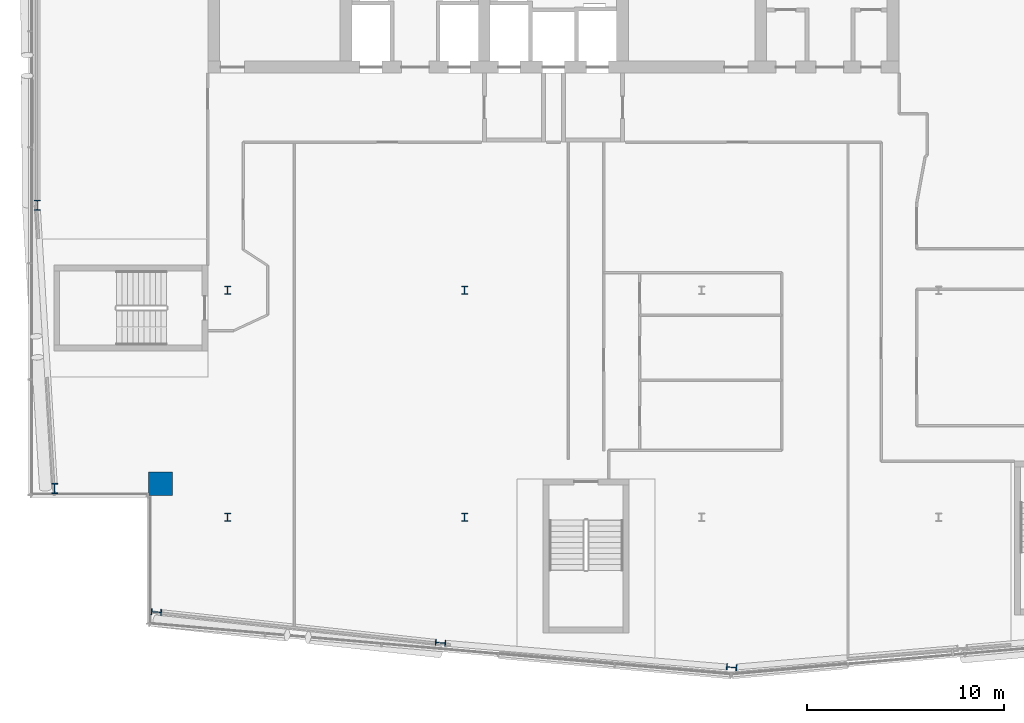
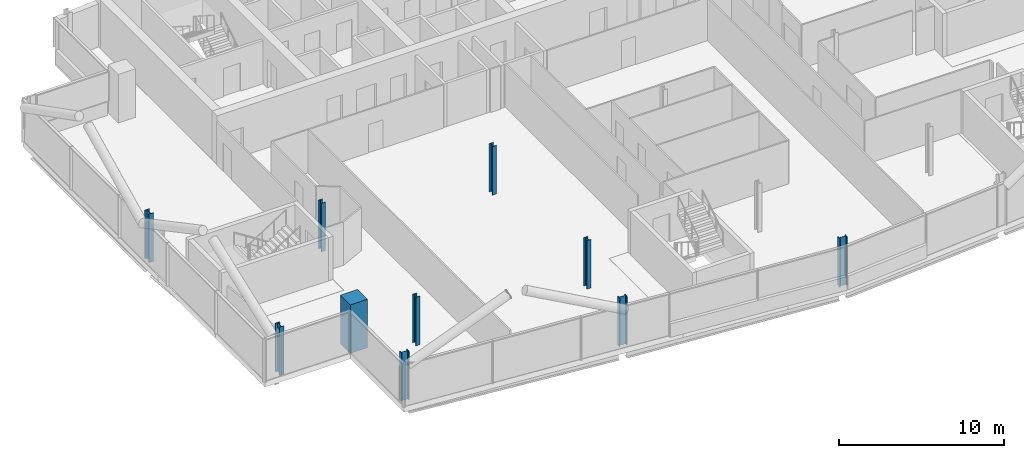
# One storey, part 1 of 25: 10 columns.
"""IFC4 building model written with IfcOpenShell, lengths in metres."""

from ifc_helpers import new_model, si_unit, direction, frame, origin, origin_2d, place, context, subcontext, project, spatial, rectangle, i_section, extrude, material, material_profile, profile_set, type_object, element, save


model = new_model("IFC4")

# Units and contexts
model_context = context("Model", 3, precision=1e-05, world=origin(), true_north=direction((0.0, 1.0)))
body_context = subcontext(model_context, "Body", "Model", "MODEL_VIEW")
ifc_project = project(units=[si_unit("LENGTHUNIT", "METRE"), si_unit("AREAUNIT", "SQUARE_METRE"), si_unit("VOLUMEUNIT", "CUBIC_METRE"), si_unit("PLANEANGLEUNIT", "RADIAN"), si_unit("MASSUNIT", "GRAM", prefix="KILO")], contexts=[model_context])

# Site, building, storey
site_placement = place(None, origin())
site = spatial("IfcSite", under=ifc_project, at=site_placement, CompositionType="ELEMENT")
building_placement = place(site_placement, origin())
building = spatial("IfcBuilding", under=site, at=building_placement, Name="Wharfspan Tower", CompositionType="ELEMENT")
storey_placement = place(building_placement, frame((0.0, 0.0, 239.5)))
storey = spatial("IfcBuildingStorey", under=building, at=storey_placement, Name="L60", CompositionType="ELEMENT", Elevation=239.5)

# Columns
ifc_material_1 = material(Name="Steel S355J2", Category="steel")
ifc_material_profile_1 = material_profile(ifc_material_1, i_section(OverallWidth=0.300049, OverallDepth=0.399902, WebThickness=0.013428, FlangeThickness=0.023926, FilletRadius=0.0271, at=origin_2d()))
ifc_profile_set_1 = profile_set([ifc_material_profile_1], Name="Steel S355J2")
column_type_1 = type_object("IfcColumnType", Name="Column HEB 400", PredefinedType="COLUMN", material=ifc_profile_set_1)
for number, where, z_axis, x_axis, name in (
    (1, (24.0, 11.5, 0.0), (0.0, 0.0, 1.0), (1.0, 0.0, 0.0), "Interior column I.1.1 L60"),
    (2, (36.0, 11.5, 0.0), (0.0, 0.0, 1.0), (1.0, 0.0, 0.0), "Interior column I.1.2 L60"),
    (3, (24.0, 23.0, 0.0), (0.0, 0.0, 1.0), (1.0, 0.0, 0.0), "Interior column I.2.1 L60"),
    (4, (36.0, 23.0, 0.0), (0.0, 0.0, 1.0), (1.0, 0.0, 0.0), "Interior column I.2.2 L60"),
):
    element("IfcColumn", number, at=place(storey_placement, frame(where, z_axis=z_axis, x_axis=x_axis)), inside=storey, type_object=column_type_1, Name=name, PredefinedType="COLUMN", context=body_context, shape_type="SweptSolid", body=[
        extrude(i_section(OverallWidth=0.300049, OverallDepth=0.399902, WebThickness=0.013428, FlangeThickness=0.023926, FilletRadius=0.0271, at=origin_2d()), origin(), (0.0, 0.0, 1.0), 3.600098),
    ])
ifc_material_profile_2 = material_profile(ifc_material_1, i_section(OverallWidth=0.305908, OverallDepth=0.523926, WebThickness=0.020996, FlangeThickness=0.040039, FilletRadius=0.0271, at=origin_2d()))
ifc_profile_set_2 = profile_set([ifc_material_profile_2], Name="Steel S355J2")
column_type_2 = type_object("IfcColumnType", Name="Column HEM 500", PredefinedType="COLUMN", material=ifc_profile_set_2)
for number, where, z_axis, x_axis, name in (
    (5, (20.392334, 6.702637, 0.0), (0.0, 0.0, 1.0), (-0.087156, -0.996197, 0.0), "Perimeter column PS1.1 L60"),
    (6, (34.781494, 5.143311, 0.0), (0.0, 0.0, 1.0), (-0.087156, -0.996197, 0.0), "Perimeter column PS1.2 L60"),
    (7, (49.522949, 3.9021, 0.0), (0.0, 0.0, 1.0), (-0.087156, -0.996197, 0.0), "Perimeter column PS1.3 L60"),
    (8, (14.360107, 27.300049, 0.0), (0.0, 0.0, 1.0), (-1.0, 0.0, 0.0), "Perimeter column PW.1 L60"),
    (9, (15.237793, 12.963379, 0.0), (0.0, 0.0, 1.0), (-1.0, 0.0, 0.0), "Perimeter column PW.2 L60"),
):
    element("IfcColumn", number, at=place(storey_placement, frame(where, z_axis=z_axis, x_axis=x_axis)), inside=storey, type_object=column_type_2, Name=name, PredefinedType="COLUMN", context=body_context, shape_type="SweptSolid", body=[
        extrude(i_section(OverallWidth=0.305908, OverallDepth=0.523926, WebThickness=0.020996, FlangeThickness=0.040039, FilletRadius=0.0271, at=origin_2d()), origin(), (0.0, 0.0, 1.0), 3.600098),
    ])
ifc_material_2 = material(Name="Concrete C50/60", Category="concrete")
ifc_material_profile_3 = material_profile(ifc_material_2, rectangle(XDim=1.199951, YDim=1.199951, at=origin_2d()))
ifc_profile_set_3 = profile_set([ifc_material_profile_3], Name="Concrete C50/60")
column_type_3 = type_object("IfcColumnType", Name="Mega column 1200 C50/60", PredefinedType="COLUMN", material=ifc_profile_set_3)
column_placement = place(storey_placement, frame((20.600098, 13.199951, 0.0), z_axis=(0.0, 0.0, 1.0), x_axis=(1.0, 0.0, 0.0)))
element("IfcColumn", 10, at=column_placement, inside=storey, type_object=column_type_3, Name="Mega column MC1 L60", PredefinedType="COLUMN", context=body_context, shape_type="SweptSolid", body=[
    extrude(rectangle(XDim=1.199951, YDim=1.199951, at=origin_2d()), origin(), (0.0, 0.0, 1.0), 3.600098),
])

save(model, "model.ifc")
